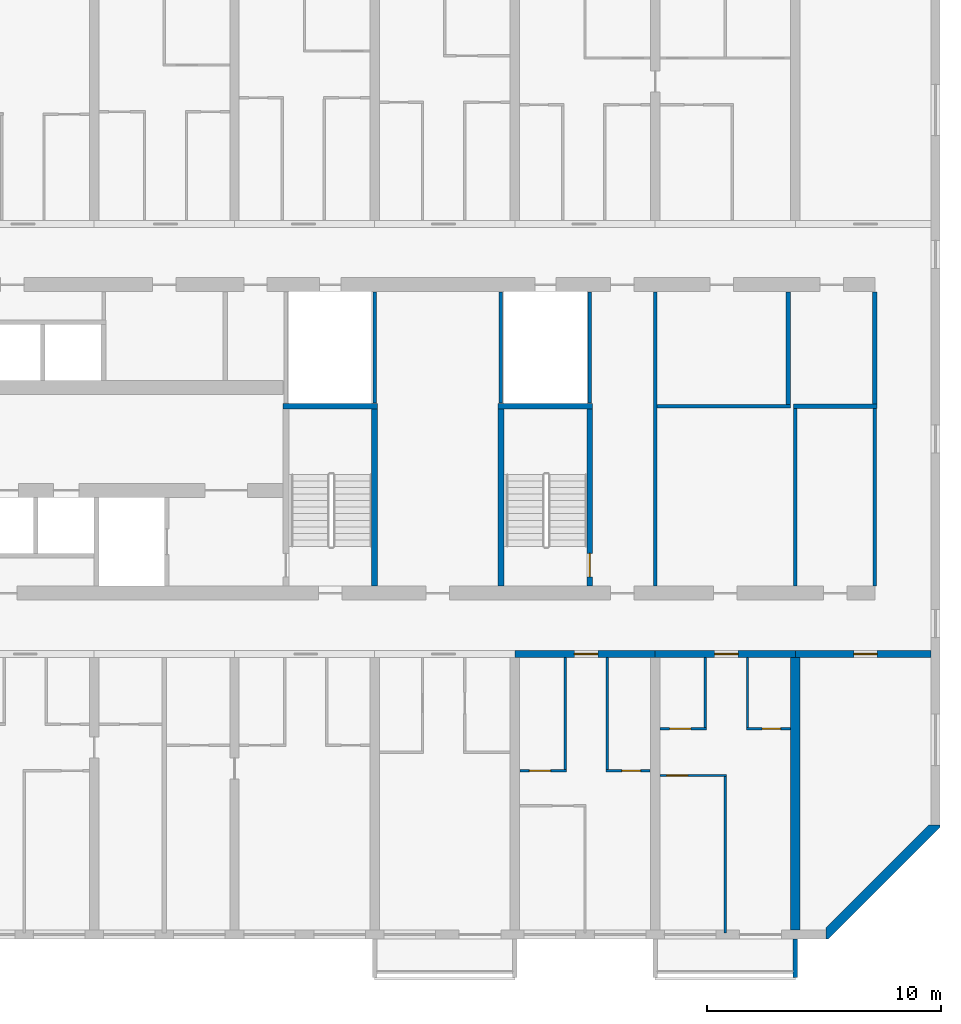
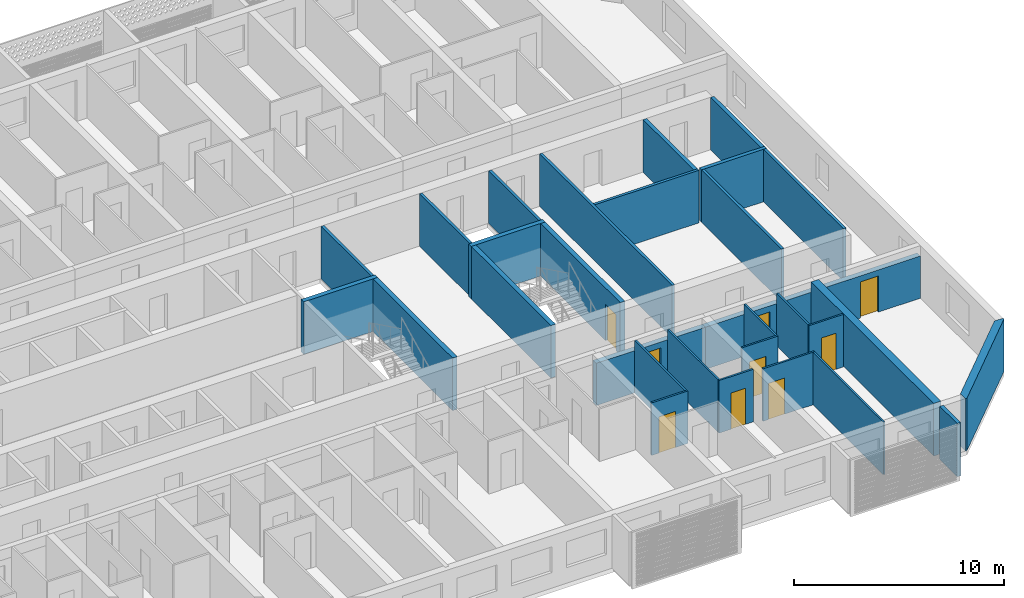
# One storey, part 14 of 39: 31 walls, 9 doors, 9 openings.
"""IFC4 building model written with IfcOpenShell, lengths in metres."""

from ifc_helpers import new_model, si_unit, direction, frame, frame_2d, origin, place, context, subcontext, project, spatial, polyline, rectangle, outline, extrude, source, transform, mapped, material, layer, layer_set, type_object, element, fill, save


model = new_model("IFC4")

# Units and contexts
model_context = context("Model", 3, precision=1e-05, world=origin(), true_north=direction((0.0, 1.0)))
body_context = subcontext(model_context, "Body", "Model", "MODEL_VIEW")
ifc_project = project(units=[si_unit("LENGTHUNIT", "METRE"), si_unit("AREAUNIT", "SQUARE_METRE"), si_unit("VOLUMEUNIT", "CUBIC_METRE"), si_unit("PLANEANGLEUNIT", "RADIAN"), si_unit("MASSUNIT", "GRAM", prefix="KILO")], contexts=[model_context])

# Site, building, storey
site_placement = place(None, origin())
site = spatial("IfcSite", under=ifc_project, at=site_placement, CompositionType="ELEMENT")
building_placement = place(site_placement, origin())
building = spatial("IfcBuilding", under=site, at=building_placement, Name="Poui Terraces", CompositionType="ELEMENT")
storey_placement = place(building_placement, frame((0.0, 0.0, 56.39990234375)))
storey = spatial("IfcBuildingStorey", under=building, at=storey_placement, Name="L15", CompositionType="ELEMENT", Elevation=56.39990234375)

# Walls
ifc_material_1 = material(Name="Fire-rated plasterboard wall")
ifc_layer_1 = layer(ifc_material_1, 0.14990234375)
ifc_layer_set_1 = layer_set([ifc_layer_1], Name="Fire-rated plasterboard wall")
wall_type_1 = type_object("IfcWallType", Name="CORRIDOR WALL 150", PredefinedType="PARTITIONING", material=ifc_layer_set_1)
wall_1_placement = place(storey_placement, frame((84.0, 14.909912109375, 0.0), z_axis=(0.0, 0.0, 1.0), x_axis=(0.0, 1.0, 0.0)))
element("IfcWall", 1, at=wall_1_placement, inside=storey, type_object=wall_type_1, Name="CORRIDOR WALL 150", PredefinedType="PARTITIONING", context=body_context, shape_type="SweptSolid", body=[
    extrude(rectangle(XDim=12.580078125, YDim=0.14990234375, at=frame_2d((6.2900390625, 0.0))), origin(), (0.0, 0.0, 1.0), 3.050048828125),
])
wall_2_placement = place(storey_placement, frame((93.39990234375, 14.909912109375, 0.0), z_axis=(0.0, 0.0, 1.0), x_axis=(0.0, 1.0, 0.0)))
element("IfcWall", 2, at=wall_2_placement, inside=storey, type_object=wall_type_1, Name="CORRIDOR WALL 150", PredefinedType="PARTITIONING", context=body_context, shape_type="SweptSolid", body=[
    extrude(rectangle(XDim=7.590087890625, YDim=0.14990234375, at=frame_2d((3.794921875, 0.0))), origin(), (0.0, 0.0, 1.0), 3.050048828125),
])

# Wall, opening, door
ifc_material_2 = material(Name="Concrete 80 MPa", Category="concrete")
ifc_layer_2 = layer(ifc_material_2, 0.300048828125)
ifc_layer_set_2 = layer_set([ifc_layer_2], Name="Concrete 80 MPa")
wall_type_2 = type_object("IfcWallType", Name="CORRIDOR WALL 300 80MPa", PredefinedType="SHEAR", material=ifc_layer_set_2)
wall_3_placement = place(storey_placement, frame((78.0, 12.0, 0.0), z_axis=(0.0, 0.0, 1.0), x_axis=(1.0, 0.0, 0.0)))
wall_3 = element("IfcWall", 3, at=wall_3_placement, inside=storey, type_object=wall_type_2, Name="CORRIDOR WALL LINE B BAY 13", PredefinedType="SHEAR", context=body_context, shape_type="SweptSolid", body=[
    extrude(rectangle(XDim=6.0, YDim=0.300048828125, at=frame_2d((3.0, 0.0))), origin(), (0.0, 0.0, 1.0), 2.4501953125),
])
opening_1_placement = place(wall_3_placement, frame((2.550048828125, 0.0, 0.0)))
opening_1 = element("IfcOpeningElement", 4, at=opening_1_placement, cuts=wall_3, Name="Opening FD30S", PredefinedType="OPENING", context=body_context, shape_type="SweptSolid", body=[
    extrude(rectangle(XDim=1.0, YDim=2.10009765625, at=frame_2d((0.5, 1.050048828125))), frame((0.0, 0.16015625, 0.0), z_axis=(0.0, -1.0, 0.0), x_axis=(1.0, 0.0, 0.0)), (0.0, 0.0, 1.0), 0.320068359375),
])
ifc_material_3 = material(Name="Steel fire door", Category="steel")
door_type_1 = type_object("IfcDoorType", Name="FLAT ENTRANCE DOOR 1000 X 2100", OperationType="NOTDEFINED", PredefinedType="DOOR", material=ifc_material_3)
door_1_placement = place(opening_1_placement, frame((1.0, 0.0, 0.0), z_axis=(0.0, 0.0, 1.0), x_axis=(-1.0, 0.0, 0.0)))
door_1 = element("IfcDoor", 5, at=door_1_placement, inside=storey, type_object=door_type_1, Name="FLAT ENTRANCE DOOR 128", OperationType="SINGLE_SWING_LEFT", OverallHeight=2.10009765625, OverallWidth=1.0, PredefinedType="DOOR", context=body_context, shape_type="SweptSolid", body=[
    extrude(rectangle(XDim=1.0, YDim=2.10009765625, at=frame_2d((0.5, 1.050048828125))), frame((0.0, 0.02490234375, 0.0), z_axis=(0.0, -1.0, 0.0), x_axis=(1.0, 0.0, 0.0)), (0.0, 0.0, 1.0), 0.050048828125),
])
fill(opening_1, door_1)

wall_4_placement = place(storey_placement, frame((84.0, 12.0, 0.0), z_axis=(0.0, 0.0, 1.0), x_axis=(1.0, 0.0, 0.0)))
wall_4 = element("IfcWall", 6, at=wall_4_placement, inside=storey, type_object=wall_type_2, Name="CORRIDOR WALL LINE B BAY 14", PredefinedType="SHEAR", context=body_context, shape_type="SweptSolid", body=[
    extrude(rectangle(XDim=6.0, YDim=0.300048828125, at=frame_2d((3.0, 0.0))), origin(), (0.0, 0.0, 1.0), 2.4501953125),
])
opening_2_placement = place(wall_4_placement, frame((2.550048828125, 0.0, 0.0)))
opening_2 = element("IfcOpeningElement", 7, at=opening_2_placement, cuts=wall_4, Name="Opening FD30S", PredefinedType="OPENING", context=body_context, shape_type="SweptSolid", body=[
    extrude(rectangle(XDim=1.0, YDim=2.10009765625, at=frame_2d((0.5, 1.050048828125))), frame((0.0, 0.16015625, 0.0), z_axis=(0.0, -1.0, 0.0), x_axis=(1.0, 0.0, 0.0)), (0.0, 0.0, 1.0), 0.320068359375),
])
door_2_placement = place(opening_2_placement, frame((1.0, 0.0, 0.0), z_axis=(0.0, 0.0, 1.0), x_axis=(-1.0, 0.0, 0.0)))
door_2 = element("IfcDoor", 8, at=door_2_placement, inside=storey, type_object=door_type_1, Name="FLAT ENTRANCE DOOR 132", OperationType="SINGLE_SWING_LEFT", OverallHeight=2.10009765625, OverallWidth=1.0, PredefinedType="DOOR", context=body_context, shape_type="SweptSolid", body=[
    extrude(rectangle(XDim=1.0, YDim=2.10009765625, at=frame_2d((0.5, 1.050048828125))), frame((0.0, 0.02490234375, 0.0), z_axis=(0.0, -1.0, 0.0), x_axis=(1.0, 0.0, 0.0)), (0.0, 0.0, 1.0), 0.050048828125),
])
fill(opening_2, door_2)

wall_5_placement = place(storey_placement, frame((90.0, 12.0, 0.0), z_axis=(0.0, 0.0, 1.0), x_axis=(1.0, 0.0, 0.0)))
wall_5 = element("IfcWall", 9, at=wall_5_placement, inside=storey, type_object=wall_type_2, Name="CORRIDOR WALL LINE B BAY 15", PredefinedType="SHEAR", context=body_context, shape_type="SweptSolid", body=[
    extrude(rectangle(XDim=5.800048828125, YDim=0.300048828125, at=frame_2d((2.89990234375, 0.0))), origin(), (0.0, 0.0, 1.0), 2.4501953125),
])
opening_3_placement = place(wall_5_placement, frame((2.5, 0.0, 0.0)))
opening_3 = element("IfcOpeningElement", 10, at=opening_3_placement, cuts=wall_5, Name="Opening D100", PredefinedType="OPENING", context=body_context, shape_type="SweptSolid", body=[
    extrude(rectangle(XDim=1.0, YDim=2.10009765625, at=frame_2d((0.5, 1.050048828125))), frame((0.0, 0.16015625, 0.0), z_axis=(0.0, -1.0, 0.0), x_axis=(1.0, 0.0, 0.0)), (0.0, 0.0, 1.0), 0.320068359375),
])
ifc_material_4 = material(Name="Solid core timber door", Category="wood")
door_type_2 = type_object("IfcDoorType", Name="ACCESSIBLE INTERNAL DOOR 1000 X 2100", OperationType="NOTDEFINED", PredefinedType="DOOR", material=ifc_material_4)
door_3_placement = place(opening_3_placement, frame((1.0, 0.0, 0.0), z_axis=(0.0, 0.0, 1.0), x_axis=(-1.0, 0.0, 0.0)))
door_3 = element("IfcDoor", 11, at=door_3_placement, inside=storey, type_object=door_type_2, Name="ACCESSIBLE INTERNAL DOOR 134", OperationType="SINGLE_SWING_RIGHT", OverallHeight=2.10009765625, OverallWidth=1.0, PredefinedType="DOOR", context=body_context, shape_type="SweptSolid", body=[
    extrude(rectangle(XDim=1.0, YDim=2.10009765625, at=frame_2d((0.5, 1.050048828125))), frame((0.0, 0.02490234375, 0.0), z_axis=(0.0, -1.0, 0.0), x_axis=(1.0, 0.0, 0.0)), (0.0, 0.0, 1.0), 0.050048828125),
])
fill(opening_3, door_3)

# Wall
ifc_layer_3 = layer(ifc_material_2, 0.39990234375)
ifc_layer_set_3 = layer_set([ifc_layer_3], Name="Concrete 80 MPa")
wall_type_3 = type_object("IfcWallType", Name="CROSS WALL 400 80MPa", PredefinedType="SHEAR", material=ifc_layer_set_3)
wall_6_placement = place(storey_placement, frame((90.0, 0.199951171875, 0.0), z_axis=(0.0, 0.0, 1.0), x_axis=(0.0, 1.0, 0.0)))
element("IfcWall", 12, at=wall_6_placement, inside=storey, type_object=wall_type_3, Name="CROSS WALL LINE 16 SOUTH", PredefinedType="SHEAR", context=body_context, shape_type="SweptSolid", body=[
    extrude(rectangle(XDim=11.650146484375, YDim=0.39990234375, at=frame_2d((5.8251953125, 0.0))), origin(), (0.0, 0.0, 1.0), 3.050048828125),
])

# Wall, opening, door
ifc_material_5 = material(Name="Plasterboard partition")
ifc_layer_4 = layer(ifc_material_5, 0.10009765625)
ifc_layer_set_4 = layer_set([ifc_layer_4], Name="Plasterboard partition")
wall_type_4 = type_object("IfcWallType", Name="FLAT PARTITION 100", PredefinedType="PARTITIONING", material=ifc_layer_set_4)
wall_7_placement = place(storey_placement, frame((84.2099609375, 6.800048828125, 0.0), z_axis=(0.0, 0.0, 1.0), x_axis=(1.0, 0.0, 0.0)))
wall_7 = element("IfcWall", 13, at=wall_7_placement, inside=storey, type_object=wall_type_4, Name="FLAT PARTITION 100", PredefinedType="PARTITIONING", context=body_context, shape_type="SweptSolid", body=[
    extrude(rectangle(XDim=2.840087890625, YDim=0.10009765625, at=frame_2d((1.419921875, 0.0))), origin(), (0.0, 0.0, 1.0), 3.050048828125),
])
opening_4_placement = place(wall_7_placement, frame((0.2900390625, 0.0, 0.0)))
opening_4 = element("IfcOpeningElement", 14, at=opening_4_placement, cuts=wall_7, Name="Opening D90", PredefinedType="OPENING", context=body_context, shape_type="SweptSolid", body=[
    extrude(rectangle(XDim=0.89990234375, YDim=2.10009765625, at=frame_2d((0.449951171875, 1.050048828125))), frame((0.0, 0.06005859375, 0.0), z_axis=(0.0, -1.0, 0.0), x_axis=(1.0, 0.0, 0.0)), (0.0, 0.0, 1.0), 0.1201171875),
])
door_type_3 = type_object("IfcDoorType", Name="INTERNAL DOOR 900 X 2100", OperationType="NOTDEFINED", PredefinedType="DOOR", material=ifc_material_4)
door_4_placement = place(opening_4_placement, origin())
door_4 = element("IfcDoor", 15, at=door_4_placement, inside=storey, type_object=door_type_3, Name="INTERNAL DOOR 130", OperationType="SINGLE_SWING_RIGHT", OverallHeight=2.10009765625, OverallWidth=0.89990234375, PredefinedType="DOOR", context=body_context, shape_type="SweptSolid", body=[
    extrude(rectangle(XDim=0.89990234375, YDim=2.10009765625, at=frame_2d((0.449951171875, 1.050048828125))), frame((0.0, 0.02490234375, 0.0), z_axis=(0.0, -1.0, 0.0), x_axis=(1.0, 0.0, 0.0)), (0.0, 0.0, 1.0), 0.050048828125),
])
fill(opening_4, door_4)

wall_8_placement = place(storey_placement, frame((78.2099609375, 7.0, 0.0), z_axis=(0.0, 0.0, 1.0), x_axis=(1.0, 0.0, 0.0)))
wall_8 = element("IfcWall", 16, at=wall_8_placement, inside=storey, type_object=wall_type_4, Name="FLAT PARTITION 100", PredefinedType="PARTITIONING", context=body_context, shape_type="SweptSolid", body=[
    extrude(rectangle(XDim=1.989990234375, YDim=0.10009765625, at=frame_2d((0.9951171875, 0.0))), origin(), (0.0, 0.0, 1.0), 3.050048828125),
])
opening_5_placement = place(wall_8_placement, frame((0.4150390625, 0.0, 0.0)))
opening_5 = element("IfcOpeningElement", 17, at=opening_5_placement, cuts=wall_8, Name="Opening D90", PredefinedType="OPENING", context=body_context, shape_type="SweptSolid", body=[
    extrude(rectangle(XDim=0.89990234375, YDim=2.10009765625, at=frame_2d((0.449951171875, 1.050048828125))), frame((0.0, 0.06005859375, 0.0), z_axis=(0.0, -1.0, 0.0), x_axis=(1.0, 0.0, 0.0)), (0.0, 0.0, 1.0), 0.1201171875),
])
door_5_placement = place(opening_5_placement, origin())
door_5 = element("IfcDoor", 18, at=door_5_placement, inside=storey, type_object=door_type_3, Name="INTERNAL DOOR 126", OperationType="SINGLE_SWING_RIGHT", OverallHeight=2.10009765625, OverallWidth=0.89990234375, PredefinedType="DOOR", context=body_context, shape_type="SweptSolid", body=[
    extrude(rectangle(XDim=0.89990234375, YDim=2.10009765625, at=frame_2d((0.449951171875, 1.050048828125))), frame((0.0, 0.02490234375, 0.0), z_axis=(0.0, -1.0, 0.0), x_axis=(1.0, 0.0, 0.0)), (0.0, 0.0, 1.0), 0.050048828125),
])
fill(opening_5, door_5)

wall_9_placement = place(storey_placement, frame((81.89990234375, 7.0, 0.0), z_axis=(0.0, 0.0, 1.0), x_axis=(1.0, 0.0, 0.0)))
wall_9 = element("IfcWall", 19, at=wall_9_placement, inside=storey, type_object=wall_type_4, Name="FLAT PARTITION 100", PredefinedType="PARTITIONING", context=body_context, shape_type="SweptSolid", body=[
    extrude(rectangle(XDim=1.89013671875, YDim=0.10009765625, at=frame_2d((0.945068359375, 0.0))), origin(), (0.0, 0.0, 1.0), 3.050048828125),
])
opening_6_placement = place(wall_9_placement, frame((0.675048828125, 0.0, 0.0)))
opening_6 = element("IfcOpeningElement", 20, at=opening_6_placement, cuts=wall_9, Name="Opening D80", PredefinedType="OPENING", context=body_context, shape_type="SweptSolid", body=[
    extrude(rectangle(XDim=0.800048828125, YDim=2.10009765625, at=frame_2d((0.39990234375, 1.050048828125))), frame((0.0, 0.06005859375, 0.0), z_axis=(0.0, -1.0, 0.0), x_axis=(1.0, 0.0, 0.0)), (0.0, 0.0, 1.0), 0.1201171875),
])
door_type_4 = type_object("IfcDoorType", Name="BATHROOM, LAUNDRY AND STORE DOOR 800 X 2100", OperationType="NOTDEFINED", PredefinedType="DOOR", material=ifc_material_4)
door_6_placement = place(opening_6_placement, origin())
door_6 = element("IfcDoor", 21, at=door_6_placement, inside=storey, type_object=door_type_4, Name="BATHROOM, LAUNDRY AND STORE DOOR 129", OperationType="SINGLE_SWING_LEFT", OverallHeight=2.10009765625, OverallWidth=0.800048828125, PredefinedType="DOOR", context=body_context, shape_type="SweptSolid", body=[
    extrude(rectangle(XDim=0.800048828125, YDim=2.10009765625, at=frame_2d((0.39990234375, 1.050048828125))), frame((0.0, 0.02490234375, 0.0), z_axis=(0.0, -1.0, 0.0), x_axis=(1.0, 0.0, 0.0)), (0.0, 0.0, 1.0), 0.050048828125),
])
fill(opening_6, door_6)

wall_10_placement = place(storey_placement, frame((84.2099609375, 8.800048828125, 0.0), z_axis=(0.0, 0.0, 1.0), x_axis=(1.0, 0.0, 0.0)))
wall_10 = element("IfcWall", 22, at=wall_10_placement, inside=storey, type_object=wall_type_4, Name="FLAT PARTITION 100", PredefinedType="PARTITIONING", context=body_context, shape_type="SweptSolid", body=[
    extrude(rectangle(XDim=1.989990234375, YDim=0.10009765625, at=frame_2d((0.9951171875, 0.0))), origin(), (0.0, 0.0, 1.0), 3.050048828125),
])
opening_7_placement = place(wall_10_placement, frame((0.4150390625, 0.0, 0.0)))
opening_7 = element("IfcOpeningElement", 23, at=opening_7_placement, cuts=wall_10, Name="Opening D90", PredefinedType="OPENING", context=body_context, shape_type="SweptSolid", body=[
    extrude(rectangle(XDim=0.89990234375, YDim=2.10009765625, at=frame_2d((0.449951171875, 1.050048828125))), frame((0.0, 0.06005859375, 0.0), z_axis=(0.0, -1.0, 0.0), x_axis=(1.0, 0.0, 0.0)), (0.0, 0.0, 1.0), 0.1201171875),
])
door_7_placement = place(opening_7_placement, origin())
door_7 = element("IfcDoor", 24, at=door_7_placement, inside=storey, type_object=door_type_3, Name="INTERNAL DOOR 131", OperationType="SINGLE_SWING_LEFT", OverallHeight=2.10009765625, OverallWidth=0.89990234375, PredefinedType="DOOR", context=body_context, shape_type="SweptSolid", body=[
    extrude(rectangle(XDim=0.89990234375, YDim=2.10009765625, at=frame_2d((0.449951171875, 1.050048828125))), frame((0.0, 0.02490234375, 0.0), z_axis=(0.0, -1.0, 0.0), x_axis=(1.0, 0.0, 0.0)), (0.0, 0.0, 1.0), 0.050048828125),
])
fill(opening_7, door_7)

wall_11_placement = place(storey_placement, frame((87.89990234375, 8.800048828125, 0.0), z_axis=(0.0, 0.0, 1.0), x_axis=(1.0, 0.0, 0.0)))
wall_11 = element("IfcWall", 25, at=wall_11_placement, inside=storey, type_object=wall_type_4, Name="FLAT PARTITION 100", PredefinedType="PARTITIONING", context=body_context, shape_type="SweptSolid", body=[
    extrude(rectangle(XDim=1.89013671875, YDim=0.10009765625, at=frame_2d((0.945068359375, 0.0))), origin(), (0.0, 0.0, 1.0), 3.050048828125),
])
opening_8_placement = place(wall_11_placement, frame((0.675048828125, 0.0, 0.0)))
opening_8 = element("IfcOpeningElement", 26, at=opening_8_placement, cuts=wall_11, Name="Opening D80", PredefinedType="OPENING", context=body_context, shape_type="SweptSolid", body=[
    extrude(rectangle(XDim=0.800048828125, YDim=2.10009765625, at=frame_2d((0.39990234375, 1.050048828125))), frame((0.0, 0.06005859375, 0.0), z_axis=(0.0, -1.0, 0.0), x_axis=(1.0, 0.0, 0.0)), (0.0, 0.0, 1.0), 0.1201171875),
])
door_8_placement = place(opening_8_placement, origin())
door_8 = element("IfcDoor", 27, at=door_8_placement, inside=storey, type_object=door_type_4, Name="BATHROOM, LAUNDRY AND STORE DOOR 133", OperationType="SINGLE_SWING_RIGHT", OverallHeight=2.10009765625, OverallWidth=0.800048828125, PredefinedType="DOOR", context=body_context, shape_type="SweptSolid", body=[
    extrude(rectangle(XDim=0.800048828125, YDim=2.10009765625, at=frame_2d((0.39990234375, 1.050048828125))), frame((0.0, 0.02490234375, 0.0), z_axis=(0.0, -1.0, 0.0), x_axis=(1.0, 0.0, 0.0)), (0.0, 0.0, 1.0), 0.050048828125),
])
fill(opening_8, door_8)

# Walls
for number, where, z_axis, x_axis, name in (
    (28, (80.14990234375, 7.050048828125, 0.0), (0.0, 0.0, 1.0), (0.0, 1.0, 0.0), "FLAT PARTITION 100"),
    (29, (81.949951171875, 7.050048828125, 0.0), (0.0, 0.0, 1.0), (0.0, 1.0, 0.0), "FLAT PARTITION 100"),
):
    element("IfcWall", number, at=place(storey_placement, frame(where, z_axis=z_axis, x_axis=x_axis)), inside=storey, type_object=wall_type_4, Name=name, PredefinedType="PARTITIONING", context=body_context, shape_type="SweptSolid", body=[
        extrude(rectangle(XDim=4.7900390625, YDim=0.10009765625, at=frame_2d((2.39501953125, 0.0))), origin(), (0.0, 0.0, 1.0), 3.050048828125),
    ])
wall_12_placement = place(storey_placement, frame((86.14990234375, 8.85009765625, 0.0), z_axis=(0.0, 0.0, 1.0), x_axis=(0.0, 1.0, 0.0)))
element("IfcWall", 30, at=wall_12_placement, inside=storey, type_object=wall_type_4, Name="FLAT PARTITION 100", PredefinedType="PARTITIONING", context=body_context, shape_type="SweptSolid", body=[
    extrude(rectangle(XDim=2.989990234375, YDim=0.10009765625, at=frame_2d((1.4951171875, 0.0))), origin(), (0.0, 0.0, 1.0), 3.050048828125),
])
wall_13_placement = place(storey_placement, frame((87.0, 0.06005859375, 0.0), z_axis=(0.0, 0.0, 1.0), x_axis=(0.0, 1.0, 0.0)))
element("IfcWall", 31, at=wall_13_placement, inside=storey, type_object=wall_type_4, Name="FLAT PARTITION 100", PredefinedType="PARTITIONING", context=body_context, shape_type="SweptSolid", body=[
    extrude(rectangle(XDim=6.68994140625, YDim=0.10009765625, at=frame_2d((3.344970703125, 0.0))), origin(), (0.0, 0.0, 1.0), 3.050048828125),
])
wall_14_placement = place(storey_placement, frame((87.949951171875, 8.85009765625, 0.0), z_axis=(0.0, 0.0, 1.0), x_axis=(0.0, 1.0, 0.0)))
element("IfcWall", 32, at=wall_14_placement, inside=storey, type_object=wall_type_4, Name="FLAT PARTITION 100", PredefinedType="PARTITIONING", context=body_context, shape_type="SweptSolid", body=[
    extrude(rectangle(XDim=2.989990234375, YDim=0.10009765625, at=frame_2d((1.4951171875, 0.0))), origin(), (0.0, 0.0, 1.0), 3.050048828125),
])
ifc_layer_5 = layer(ifc_material_5, 0.14990234375)
ifc_layer_set_5 = layer_set([ifc_layer_5], Name="Plasterboard partition")
wall_type_5 = type_object("IfcWallType", Name="PARTITION WALL 150", PredefinedType="PARTITIONING", material=ifc_layer_set_5)
wall_15_placement = place(storey_placement, frame((84.074951171875, 22.60009765625, 0.0), z_axis=(0.0, 0.0, 1.0), x_axis=(1.0, 0.0, 0.0)))
element("IfcWall", 33, at=wall_15_placement, inside=storey, type_object=wall_type_5, Name="PARTITION WALL 150", PredefinedType="PARTITIONING", context=body_context, shape_type="SweptSolid", body=[
    extrude(rectangle(XDim=5.72509765625, YDim=0.14990234375, at=frame_2d((2.862548828125, 0.0))), origin(), (0.0, 0.0, 1.0), 3.050048828125),
])
wall_16_placement = place(storey_placement, frame((90.0, 14.909912109375, 0.0), z_axis=(0.0, 0.0, 1.0), x_axis=(0.0, 1.0, 0.0)))
element("IfcWall", 34, at=wall_16_placement, inside=storey, type_object=wall_type_5, Name="PARTITION WALL 150", PredefinedType="PARTITIONING", context=body_context, shape_type="SweptSolid", body=[
    extrude(rectangle(XDim=7.590087890625, YDim=0.14990234375, at=frame_2d((3.794921875, 0.0))), origin(), (0.0, 0.0, 1.0), 3.050048828125),
])
ifc_material_6 = material(Name="Fire-rated masonry wall", Category="masonry")
ifc_layer_6 = layer(ifc_material_6, 0.199951171875)
ifc_layer_set_6 = layer_set([ifc_layer_6], Name="Fire-rated masonry wall")
wall_type_6 = type_object("IfcWallType", Name="PLANT ROOM WALL 200", PredefinedType="PARTITIONING", material=ifc_layer_set_6)
wall_17_placement = place(storey_placement, frame((89.925048828125, 22.60009765625, 0.0), z_axis=(0.0, 0.0, 1.0), x_axis=(1.0, 0.0, 0.0)))
element("IfcWall", 35, at=wall_17_placement, inside=storey, type_object=wall_type_6, Name="PLANT ROOM WALL 200", PredefinedType="PARTITIONING", context=body_context, shape_type="SweptSolid", body=[
    extrude(rectangle(XDim=3.574951171875, YDim=0.199951171875, at=frame_2d((1.78759765625, 0.0))), origin(), (0.0, 0.0, 1.0), 3.050048828125),
])
wall_18_placement = place(storey_placement, frame((89.699951171875, 22.675048828125, 0.0), z_axis=(0.0, 0.0, 1.0), x_axis=(0.0, 1.0, 0.0)))
element("IfcWall", 36, at=wall_18_placement, inside=storey, type_object=wall_type_6, Name="PLANT ROOM WALL 200", PredefinedType="PARTITIONING", context=body_context, shape_type="SweptSolid", body=[
    extrude(rectangle(XDim=4.81494140625, YDim=0.199951171875, at=frame_2d((2.407470703125, 0.0))), origin(), (0.0, 0.0, 1.0), 3.050048828125),
])
wall_19_placement = place(storey_placement, frame((93.39990234375, 22.699951171875, 0.0), z_axis=(0.0, 0.0, 1.0), x_axis=(0.0, 1.0, 0.0)))
element("IfcWall", 37, at=wall_19_placement, inside=storey, type_object=wall_type_6, Name="PLANT ROOM WALL 200", PredefinedType="PARTITIONING", context=body_context, shape_type="SweptSolid", body=[
    extrude(rectangle(XDim=4.7900390625, YDim=0.199951171875, at=frame_2d((2.39501953125, 0.0))), origin(), (0.0, 0.0, 1.0), 3.050048828125),
])
ifc_material_7 = material(Name="Fire-rated plasterboard riser wall")
ifc_layer_7 = layer(ifc_material_7, 0.14990234375)
ifc_layer_set_7 = layer_set([ifc_layer_7], Name="Fire-rated plasterboard riser wall")
wall_type_7 = type_object("IfcWallType", Name="RISER WALL 150", PredefinedType="PARTITIONING", material=ifc_layer_set_7)
for number, where, z_axis, x_axis, name in (
    (38, (72.0, 22.735107421875, 0.0), (0.0, 0.0, 1.0), (0.0, 1.0, 0.0), "RISER WALL 150"),
    (39, (77.39990234375, 22.735107421875, 0.0), (0.0, 0.0, 1.0), (0.0, 1.0, 0.0), "RISER WALL 150"),
    (40, (81.199951171875, 22.735107421875, 0.0), (0.0, 0.0, 1.0), (0.0, 1.0, 0.0), "RISER WALL 150"),
):
    element("IfcWall", number, at=place(storey_placement, frame(where, z_axis=z_axis, x_axis=x_axis)), inside=storey, type_object=wall_type_7, Name=name, PredefinedType="PARTITIONING", context=body_context, shape_type="SweptSolid", body=[
        extrude(rectangle(XDim=4.7548828125, YDim=0.14990234375, at=frame_2d((2.37744140625, 0.0))), origin(), (0.0, 0.0, 1.0), 3.050048828125),
    ])
ifc_layer_8 = layer(ifc_material_2, 0.25)
ifc_layer_set_8 = layer_set([ifc_layer_8], Name="Concrete 80 MPa")
wall_type_8 = type_object("IfcWallType", Name="STAIR CORE WALL 250 80 MPA", PredefinedType="SOLIDWALL", material=ifc_layer_set_8)
wall_20_placement = place(storey_placement, frame((72.0, 14.89990234375, 0.0), z_axis=(0.0, 0.0, 1.0), x_axis=(0.0, 1.0, 0.0)))
element("IfcWall", 41, at=wall_20_placement, inside=storey, type_object=wall_type_8, Name="STAIR CORE WALL", PredefinedType="SOLIDWALL", context=body_context, shape_type="SweptSolid", body=[
    extrude(rectangle(XDim=7.5751953125, YDim=0.25, at=frame_2d((3.78759765625, 0.0))), origin(), (0.0, 0.0, 1.0), 3.050048828125),
])
wall_21_placement = place(storey_placement, frame((68.074951171875, 22.60009765625, 0.0), z_axis=(0.0, 0.0, 1.0), x_axis=(1.0, 0.0, 0.0)))
element("IfcWall", 42, at=wall_21_placement, inside=storey, type_object=wall_type_8, Name="STAIR CORE WALL", PredefinedType="SOLIDWALL", context=body_context, shape_type="SweptSolid", body=[
    extrude(rectangle(XDim=4.050048828125, YDim=0.25, at=frame_2d((2.02490234375, 0.0))), origin(), (0.0, 0.0, 1.0), 3.050048828125),
])
wall_22_placement = place(storey_placement, frame((77.39990234375, 14.89990234375, 0.0), z_axis=(0.0, 0.0, 1.0), x_axis=(0.0, 1.0, 0.0)))
element("IfcWall", 43, at=wall_22_placement, inside=storey, type_object=wall_type_8, Name="STAIR CORE WALL", PredefinedType="SOLIDWALL", context=body_context, shape_type="SweptSolid", body=[
    extrude(rectangle(XDim=7.5751953125, YDim=0.25, at=frame_2d((3.78759765625, 0.0))), origin(), (0.0, 0.0, 1.0), 3.050048828125),
])

# Wall, opening, door
wall_23_placement = place(storey_placement, frame((81.199951171875, 14.89990234375, 0.0), z_axis=(0.0, 0.0, 1.0), x_axis=(0.0, 1.0, 0.0)))
wall_23 = element("IfcWall", 44, at=wall_23_placement, inside=storey, type_object=wall_type_8, Name="STAIR CORE WALL", PredefinedType="SOLIDWALL", context=body_context, shape_type="SweptSolid", body=[
    extrude(rectangle(XDim=7.5751953125, YDim=0.25, at=frame_2d((3.78759765625, 0.0))), origin(), (0.0, 0.0, 1.0), 3.050048828125),
])
opening_9_placement = place(wall_23_placement, frame((0.39990234375, 0.0, 0.0)))
opening_9 = element("IfcOpeningElement", 45, at=opening_9_placement, cuts=wall_23, Name="Opening FD60S", PredefinedType="OPENING", context=body_context, shape_type="SweptSolid", body=[
    extrude(rectangle(XDim=1.0, YDim=2.10009765625, at=frame_2d((0.5, 1.050048828125))), frame((0.0, 0.135009765625, 0.0), z_axis=(0.0, -1.0, 0.0), x_axis=(1.0, 0.0, 0.0)), (0.0, 0.0, 1.0), 0.27001953125),
])
door_type_5 = type_object("IfcDoorType", Name="STAIR DOOR 1000 X 2100", OperationType="NOTDEFINED", PredefinedType="DOOR", material=ifc_material_3)
door_9_placement = place(opening_9_placement, origin())
door_9 = element("IfcDoor", 46, at=door_9_placement, inside=storey, type_object=door_type_5, Name="STAIR DOOR 150", OperationType="SINGLE_SWING_LEFT", OverallHeight=2.10009765625, OverallWidth=1.0, PredefinedType="DOOR", context=body_context, shape_type="SweptSolid", body=[
    extrude(rectangle(XDim=1.0, YDim=2.10009765625, at=frame_2d((0.5, 1.050048828125))), frame((0.0, 0.02490234375, 0.0), z_axis=(0.0, -1.0, 0.0), x_axis=(1.0, 0.0, 0.0)), (0.0, 0.0, 1.0), 0.050048828125),
])
fill(opening_9, door_9)

# Walls
wall_24_placement = place(storey_placement, frame((77.27490234375, 22.60009765625, 0.0), z_axis=(0.0, 0.0, 1.0), x_axis=(1.0, 0.0, 0.0)))
element("IfcWall", 47, at=wall_24_placement, inside=storey, type_object=wall_type_8, Name="STAIR CORE WALL", PredefinedType="SOLIDWALL", context=body_context, shape_type="SweptSolid", body=[
    extrude(rectangle(XDim=4.050048828125, YDim=0.25, at=frame_2d((2.02490234375, 0.0))), origin(), (0.0, 0.0, 1.0), 3.050048828125),
])
ifc_material_8 = material(Name="Precast concrete 40 MPa", Category="concrete")
ifc_layer_9 = layer(ifc_material_8, 0.39990234375)
ifc_layer_set_9 = layer_set([ifc_layer_9], Name="Precast concrete 40 MPa")
wall_type_9 = type_object("IfcWallType", Name="TERRACOTTA CLAD CHAMFER WALL 400", PredefinedType="STANDARD", material=ifc_layer_set_9)
wall_25_placement = place(storey_placement, origin())
element("IfcWall", 48, at=wall_25_placement, inside=storey, type_object=wall_type_9, Name="CHAMFER WALL CH01", PredefinedType="STANDARD", context=body_context, shape_type="SweptSolid", body=[
    extrude(outline(polyline([(91.317138671875, -0.199951171875), (91.39990234375, -0.199951171875), (96.199951171875, 4.60009765625), (96.199951171875, 4.682861328125), (95.71728515625, 4.682861328125), (91.317138671875, 0.28271484375), (91.317138671875, -0.199951171875)])), origin(), (0.0, 0.0, 1.0), 3.050048828125),
])
ifc_layer_10 = layer(ifc_material_8, 0.199951171875)
ifc_layer_set_10 = layer_set([ifc_layer_10], Name="Precast concrete 40 MPa")
wall_type_10 = type_object("IfcWallType", Name="REAR FIN 200", PredefinedType="STANDARD", material=ifc_layer_set_10)
shared_shape = source(origin(), body_context, "Body", "SweptSolid", [
    extrude(outline(polyline([(0.0, 0.0), (0.2001953125, 0.0), (0.2001953125, 1.650146484375), (0.0, 1.650146484375), (0.0, 0.0)])), origin(), (0.0, 0.0, 1.0), 3.10009765625),
])
wall_26_placement = place(storey_placement, frame((89.89990234375, -1.85009765625, 0.0)))
element("IfcWall", 49, at=wall_26_placement, inside=storey, type_object=wall_type_10, Name="REAR FIN", PredefinedType="STANDARD", context=body_context, shape_type="MappedRepresentation", body=[
    mapped(shared_shape, transform((0.0, 0.0, 0.0))),
])

save(model, "model.ifc")
